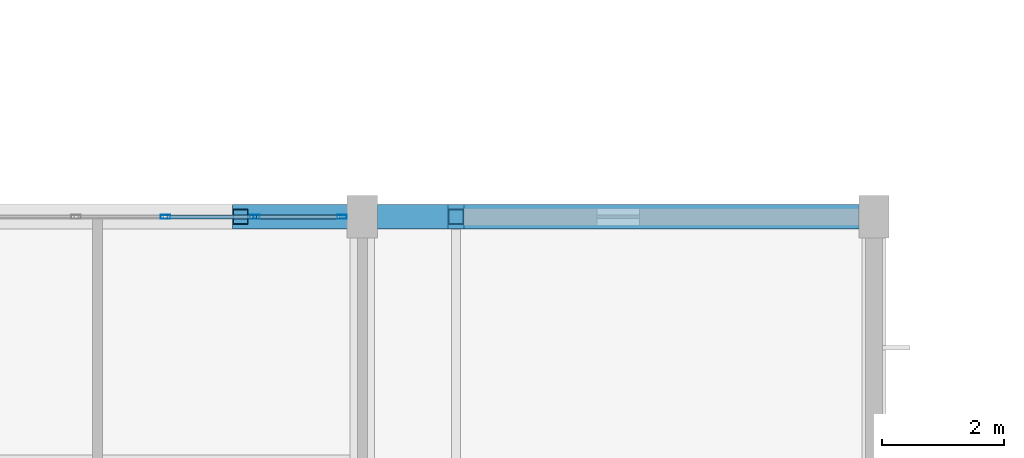
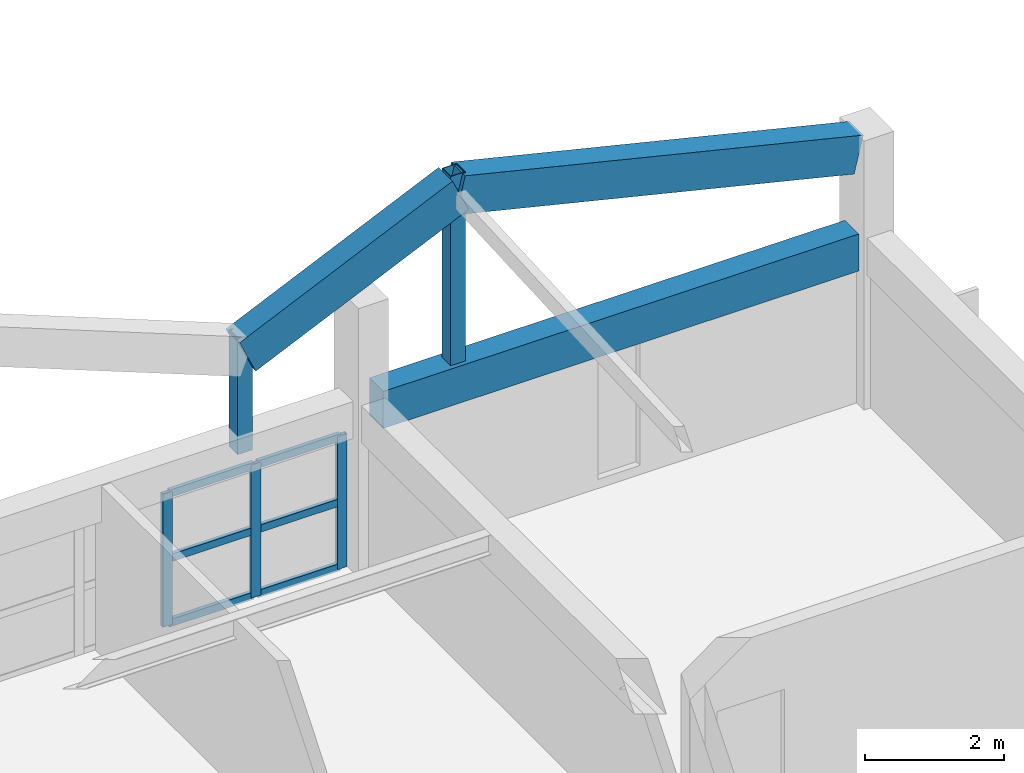
# One storey, part 32 of 127: 11 members, 3 beams, 1 element without a shape of its own.
"""IFC4 building model written with IfcOpenShell, lengths in metres."""

from ifc_helpers import new_model, si_unit, direction, frame, origin, origin_2d, place, context, subcontext, project, spatial, rectangle, hollow_rectangle, extrude, material, material_profile, profile_set, type_object, element, aggregate, save


model = new_model("IFC4")

# Units and contexts
model_context = context("Model", 3, precision=1e-05, world=origin(), true_north=direction((0.0, 1.0)))
body_context = subcontext(model_context, "Body", "Model", "MODEL_VIEW")
ifc_project = project(units=[si_unit("LENGTHUNIT", "METRE"), si_unit("AREAUNIT", "SQUARE_METRE"), si_unit("VOLUMEUNIT", "CUBIC_METRE"), si_unit("PLANEANGLEUNIT", "RADIAN"), si_unit("MASSUNIT", "GRAM", prefix="KILO")], contexts=[model_context])

# Site, building, storey
site_placement = place(None, origin())
site = spatial("IfcSite", under=ifc_project, at=site_placement, CompositionType="ELEMENT")
building_placement = place(site_placement, origin())
building = spatial("IfcBuilding", under=site, at=building_placement, Name="Kestramere Prow Commons", CompositionType="ELEMENT")
storey_placement = place(building_placement, frame((0.0, 0.0, 8.39990234375)))
storey = spatial("IfcBuildingStorey", under=building, at=storey_placement, Name="L02", CompositionType="ELEMENT", Elevation=8.39990234375)

# Beams
ifc_material_1 = material(Name="Precast concrete C40/50", Category="concrete")
ifc_material_profile_1 = material_profile(ifc_material_1, rectangle(XDim=0.39990234375, YDim=0.64990234375, at=origin_2d()), Name="PC-BM 400x650")
ifc_profile_set_1 = profile_set([ifc_material_profile_1], Name="Precast concrete C40/50")
beam_type = type_object("IfcBeamType", Name="BM-MK-01 PC-BM 400x650 (EX)", PredefinedType="BEAM", material=ifc_profile_set_1)
beam_1_placement = place(storey_placement, frame((103.85009765625, 24.0, 2.675048828125), z_axis=(1.0, 0.0, 0.0), x_axis=(0.0, 1.0, 0.0)))
element("IfcBeam", 1, at=beam_1_placement, inside=storey, type_object=beam_type, Name="Market Spine L02 Beam X 3-6", PredefinedType="BEAM", context=body_context, shape_type="SweptSolid", body=[
    extrude(rectangle(XDim=0.39990234375, YDim=0.64990234375, at=origin_2d()), origin(), (0.0, 0.0, 1.0), 7.89990234375),
])
beam_2_placement = place(storey_placement, frame((101.60009765625, 24.0, 4.39501953125), z_axis=(0.911056733142, 0.0, 0.41228100732), x_axis=(0.0, 1.0, 0.0)))
element("IfcBeam", 2, at=beam_2_placement, inside=storey, type_object=beam_type, Name="Market Folded Rafter 5L-24", PredefinedType="BEAM", context=body_context, shape_type="SweptSolid", body=[
    extrude(rectangle(XDim=0.39990234375, YDim=0.64990234375, at=origin_2d()), origin(), (0.0, 0.0, 1.0), 3.881103515625),
])
beam_3_placement = place(storey_placement, frame((105.135986328125, 24.0, 5.9951171875), z_axis=(0.971961022414, 0.0, -0.235142022845), x_axis=(0.0, 1.0, 0.0)))
element("IfcBeam", 3, at=beam_3_placement, inside=storey, type_object=beam_type, Name="Market Folded Rafter 5R-24", PredefinedType="BEAM", context=body_context, shape_type="SweptSolid", body=[
    extrude(rectangle(XDim=0.39990234375, YDim=0.64990234375, at=origin_2d()), origin(), (0.0, 0.0, 1.0), 6.804931640625),
])

# Members
ifc_material_2 = material(Name="Steel S355JR", Category="steel")
ifc_material_profile_2 = material_profile(ifc_material_2, hollow_rectangle(XDim=0.25, YDim=0.25, WallThickness=0.012451171875, at=origin_2d()), Name="SHS 250x250x12.5")
ifc_profile_set_2 = profile_set([ifc_material_profile_2], Name="Steel S355JR")
member_type_1 = type_object("IfcMemberType", Name="BRAPX-01 SHS 250x250x12.5", PredefinedType="BRACE", material=ifc_profile_set_2)
member_1_placement = place(storey_placement, frame((105.135986328125, 24.0, 2.675048828125), z_axis=(0.0, 0.0, 1.0), x_axis=(1.0, 0.0, 0.0)))
element("IfcMember", 4, at=member_1_placement, inside=storey, type_object=member_type_1, Name="Market Folded Gable Diagonal Brace 5-24", PredefinedType="BRACE", context=body_context, shape_type="SweptSolid", body=[
    extrude(hollow_rectangle(XDim=0.25, YDim=0.25, WallThickness=0.012451171875, at=origin_2d()), origin(), (0.0, 0.0, 1.0), 3.64501953125),
])
member_2_placement = place(storey_placement, frame((101.60009765625, 24.0, 2.675048828125), z_axis=(0.0, 0.0, 1.0), x_axis=(1.0, 0.0, 0.0)))
element("IfcMember", 5, at=member_2_placement, inside=storey, type_object=member_type_1, Name="Market Folded Valley Diagonal Brace 5-24", PredefinedType="BRACE", context=body_context, shape_type="SweptSolid", body=[
    extrude(hollow_rectangle(XDim=0.25, YDim=0.25, WallThickness=0.012451171875, at=origin_2d()), origin(), (0.0, 0.0, 1.0), 2.045166015625),
])

# Curtain wall, members
ifc_material_3 = material(Name="Anodised Aluminium and Low-E Glass", Category="aluminium")
curtain_wall_type = type_object("IfcCurtainWallType", Name="CW-31 Glazed Curtain Wall 8800x2340", PredefinedType="USERDEFINED", material=ifc_material_3)
curtain_wall_placement = place(storey_placement, origin())
curtain_wall = element("IfcCurtainWall", 6, at=curtain_wall_placement, inside=storey, type_object=curtain_wall_type, Name="Market L02 Courtyard Shopfront 5", ObjectType="GLAZED CURTAIN WALL", PredefinedType="USERDEFINED")
ifc_material_4 = material(Name="Anodised Aluminium 6063-T6", Category="aluminium")
ifc_material_profile_3 = material_profile(ifc_material_4, hollow_rectangle(XDim=0.06494140625, YDim=0.159912109375, WallThickness=0.00390625, at=origin_2d()), Name="ALU-MUL 65x160")
ifc_profile_set_3 = profile_set([ifc_material_profile_3], Name="Anodised Aluminium 6063-T6")
member_type_2 = type_object("IfcMemberType", Name="CW-MUL-65x160", PredefinedType="MULLION", material=ifc_profile_set_3)
member_3_placement = place(storey_placement, frame((100.36669921875, 24.0, 0.0), z_axis=(0.0, 0.0, 1.0), x_axis=(0.0, 1.0, 0.0)))
member_3 = element("IfcMember", 7, at=member_3_placement, type_object=member_type_2, Name="CW-31 mullion 5", PredefinedType="MULLION", context=body_context, shape_type="SweptSolid", body=[
    extrude(hollow_rectangle(XDim=0.06494140625, YDim=0.159912109375, WallThickness=0.00390625, at=origin_2d()), origin(), (0.0, 0.0, 1.0), 2.340087890625),
])
member_4_placement = place(storey_placement, frame((101.833251953125, 24.0, 0.0), z_axis=(0.0, 0.0, 1.0), x_axis=(0.0, 1.0, 0.0)))
member_4 = element("IfcMember", 8, at=member_4_placement, type_object=member_type_2, Name="CW-31 mullion 6", PredefinedType="MULLION", context=body_context, shape_type="SweptSolid", body=[
    extrude(hollow_rectangle(XDim=0.06494140625, YDim=0.159912109375, WallThickness=0.00390625, at=origin_2d()), origin(), (0.0, 0.0, 1.0), 2.340087890625),
])
member_5_placement = place(storey_placement, frame((103.267578125, 24.0, 0.0), z_axis=(0.0, 0.0, 1.0), x_axis=(0.0, 1.0, 0.0)))
member_5 = element("IfcMember", 9, at=member_5_placement, type_object=member_type_2, Name="CW-31 mullion 7", PredefinedType="MULLION", context=body_context, shape_type="SweptSolid", body=[
    extrude(hollow_rectangle(XDim=0.06494140625, YDim=0.159912109375, WallThickness=0.00390625, at=origin_2d()), origin(), (0.0, 0.0, 1.0), 2.340087890625),
])
ifc_material_profile_4 = material_profile(ifc_material_4, hollow_rectangle(XDim=0.06494140625, YDim=0.1298828125, WallThickness=0.00390625, at=origin_2d()), Name="ALU-TRN 65x130")
ifc_profile_set_4 = profile_set([ifc_material_profile_4], Name="Anodised Aluminium 6063-T6")
member_type_3 = type_object("IfcMemberType", Name="CW-TRN-65x130", PredefinedType="USERDEFINED", material=ifc_profile_set_4)
member_6_placement = place(storey_placement, frame((100.399169921875, 24.0, 0.03271484375), z_axis=(1.0, 0.0, 0.0), x_axis=(0.0, 1.0, 0.0)))
member_6 = element("IfcMember", 10, at=member_6_placement, type_object=member_type_3, Name="CW-31 transom 5.1", ObjectType="TRANSOM", PredefinedType="USERDEFINED", context=body_context, shape_type="SweptSolid", body=[
    extrude(hollow_rectangle(XDim=0.06494140625, YDim=0.1298828125, WallThickness=0.00390625, at=origin_2d()), origin(), (0.0, 0.0, 1.0), 1.401611328125),
])
member_7_placement = place(storey_placement, frame((100.399169921875, 24.0, 1.170166015625), z_axis=(1.0, 0.0, 0.0), x_axis=(0.0, 1.0, 0.0)))
member_7 = element("IfcMember", 11, at=member_7_placement, type_object=member_type_3, Name="CW-31 transom 5.2", ObjectType="TRANSOM", PredefinedType="USERDEFINED", context=body_context, shape_type="SweptSolid", body=[
    extrude(hollow_rectangle(XDim=0.06494140625, YDim=0.1298828125, WallThickness=0.00390625, at=origin_2d()), origin(), (0.0, 0.0, 1.0), 1.401611328125),
])
member_8_placement = place(storey_placement, frame((100.399169921875, 24.0, 2.3076171875), z_axis=(1.0, 0.0, 0.0), x_axis=(0.0, 1.0, 0.0)))
member_8 = element("IfcMember", 12, at=member_8_placement, type_object=member_type_3, Name="CW-31 transom 5.3", ObjectType="TRANSOM", PredefinedType="USERDEFINED", context=body_context, shape_type="SweptSolid", body=[
    extrude(hollow_rectangle(XDim=0.06494140625, YDim=0.1298828125, WallThickness=0.00390625, at=origin_2d()), origin(), (0.0, 0.0, 1.0), 1.401611328125),
])
member_9_placement = place(storey_placement, frame((101.86572265625, 24.0, 0.03271484375), z_axis=(1.0, 0.0, 0.0), x_axis=(0.0, 1.0, 0.0)))
member_9 = element("IfcMember", 13, at=member_9_placement, type_object=member_type_3, Name="CW-31 transom 6.1", ObjectType="TRANSOM", PredefinedType="USERDEFINED", context=body_context, shape_type="SweptSolid", body=[
    extrude(hollow_rectangle(XDim=0.06494140625, YDim=0.1298828125, WallThickness=0.00390625, at=origin_2d()), origin(), (0.0, 0.0, 1.0), 1.369384765625),
])
member_10_placement = place(storey_placement, frame((101.86572265625, 24.0, 1.170166015625), z_axis=(1.0, 0.0, 0.0), x_axis=(0.0, 1.0, 0.0)))
member_10 = element("IfcMember", 14, at=member_10_placement, type_object=member_type_3, Name="CW-31 transom 6.2", ObjectType="TRANSOM", PredefinedType="USERDEFINED", context=body_context, shape_type="SweptSolid", body=[
    extrude(hollow_rectangle(XDim=0.06494140625, YDim=0.1298828125, WallThickness=0.00390625, at=origin_2d()), origin(), (0.0, 0.0, 1.0), 1.369384765625),
])
member_11_placement = place(storey_placement, frame((101.86572265625, 24.0, 2.3076171875), z_axis=(1.0, 0.0, 0.0), x_axis=(0.0, 1.0, 0.0)))
member_11 = element("IfcMember", 15, at=member_11_placement, type_object=member_type_3, Name="CW-31 transom 6.3", ObjectType="TRANSOM", PredefinedType="USERDEFINED", context=body_context, shape_type="SweptSolid", body=[
    extrude(hollow_rectangle(XDim=0.06494140625, YDim=0.1298828125, WallThickness=0.00390625, at=origin_2d()), origin(), (0.0, 0.0, 1.0), 1.369384765625),
])
aggregate(curtain_wall, [member_3, member_4, member_5, member_6, member_7, member_8, member_9, member_10, member_11])

save(model, "model.ifc")
